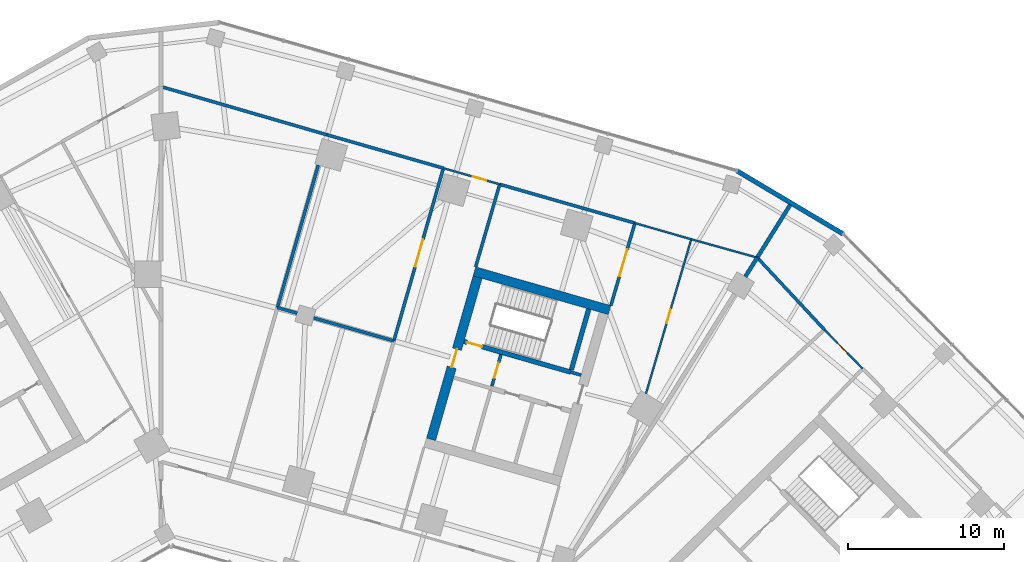
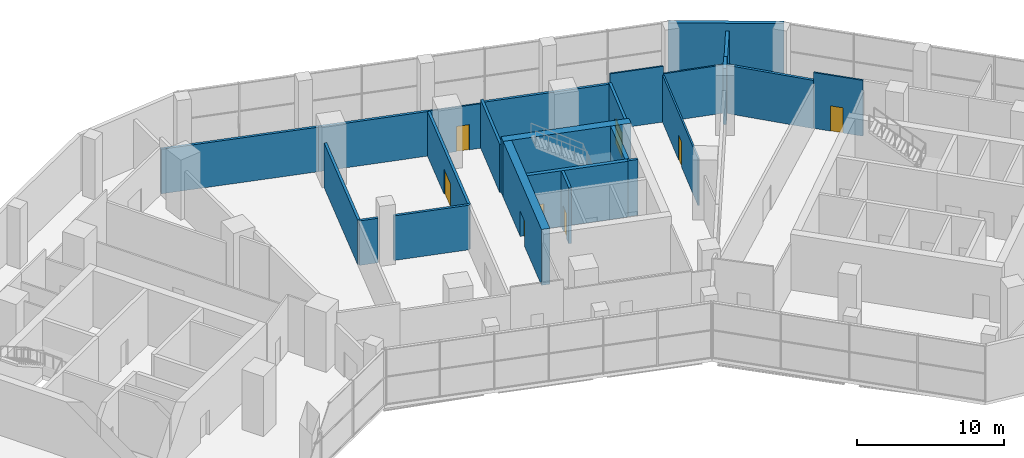
# One storey, part 15 of 18: 24 walls, 8 doors, 8 openings.
"""IFC4 building model written with IfcOpenShell, lengths in metres."""

from ifc_helpers import new_model, si_unit, direction, frame, frame_2d, origin, place, context, subcontext, project, spatial, rectangle, extrude, material, layer, layer_set, type_object, element, fill, save


model = new_model("IFC4")

# Units and contexts
model_context = context("Model", 3, precision=1e-05, world=origin(), true_north=direction((0.0, 1.0)))
body_context = subcontext(model_context, "Body", "Model", "MODEL_VIEW")
ifc_project = project(units=[si_unit("LENGTHUNIT", "METRE"), si_unit("AREAUNIT", "SQUARE_METRE"), si_unit("VOLUMEUNIT", "CUBIC_METRE"), si_unit("PLANEANGLEUNIT", "RADIAN"), si_unit("MASSUNIT", "GRAM", prefix="KILO")], contexts=[model_context])

# Site, building, storey
site_placement = place(None, origin())
site = spatial("IfcSite", under=ifc_project, at=site_placement, CompositionType="ELEMENT")
building_placement = place(site_placement, origin())
building = spatial("IfcBuilding", under=site, at=building_placement, Name="Binnacle Exchange Tower", CompositionType="ELEMENT")
storey_placement = place(building_placement, frame((0.0, 0.0, 6.5)))
storey = spatial("IfcBuildingStorey", under=building, at=storey_placement, Name="L01", CompositionType="ELEMENT", Elevation=6.5)

# Wall
ifc_material_1 = material(Name="Concrete C70/85", Category="concrete")
ifc_layer_1 = layer(ifc_material_1, 0.60009765625)
ifc_layer_set_1 = layer_set([ifc_layer_1], Name="Core wall - outer 600")
wall_type_1 = type_object("IfcWallType", Name="Core wall - outer 600", PredefinedType="SOLIDWALL", material=ifc_layer_set_1)
wall_1_placement = place(storey_placement, frame((20.052734375, 60.1796875, 0.0), z_axis=(0.0, 0.0, 1.0), x_axis=(0.96126248289, -0.275634611374, 0.0)))
element("IfcWall", 1, at=wall_1_placement, inside=storey, type_object=wall_type_1, Name="Core wall CRWD6", PredefinedType="SOLIDWALL", context=body_context, shape_type="SweptSolid", body=[
    extrude(rectangle(XDim=9.0, YDim=0.60009765625, at=frame_2d((4.5, 0.0))), origin(), (0.0, 0.0, 1.0), 4.64990234375),
])

# Wall, opening, door
wall_2_placement = place(storey_placement, frame((17.28173828125, 49.427001953125, 0.0), z_axis=(0.0, 0.0, 1.0), x_axis=(0.275631631629, 0.961263337304, 0.0)))
wall_2 = element("IfcWall", 2, at=wall_2_placement, inside=storey, type_object=wall_type_1, Name="Core wall CRWD7", PredefinedType="SOLIDWALL", context=body_context, shape_type="SweptSolid", body=[
    extrude(rectangle(XDim=10.800048828125, YDim=0.60009765625, at=frame_2d((5.39990234375, 0.0))), origin(), (0.0, 0.0, 1.0), 4.64990234375),
])
opening_1_placement = place(wall_2_placement, frame((4.800048828125, 0.0, 0.0)))
opening_1 = element("IfcOpeningElement", 3, at=opening_1_placement, cuts=wall_2, Name="Opening DD5", PredefinedType="OPENING", context=body_context, shape_type="SweptSolid", body=[
    extrude(rectangle(XDim=1.199951171875, YDim=2.10009765625, at=frame_2d((0.60009765625, 1.050048828125))), frame((0.0, 0.31005859375, 0.0), z_axis=(0.0, -1.0, 0.0), x_axis=(1.0, 0.0, 0.0)), (0.0, 0.0, 1.0), 0.6201171875),
])
ifc_material_2 = material(Name="Steel door leaf", Category="steel")
door_type_1 = type_object("IfcDoorType", Name="Fire door 1200", OperationType="NOTDEFINED", PredefinedType="DOOR", material=ifc_material_2)
door_1_placement = place(opening_1_placement, origin())
door_1 = element("IfcDoor", 4, at=door_1_placement, inside=storey, type_object=door_type_1, Name="Vestibule exit door VEST-W", OperationType="SINGLE_SWING_RIGHT", OverallHeight=2.10009765625, OverallWidth=1.199951171875, PredefinedType="DOOR", context=body_context, shape_type="SweptSolid", body=[
    extrude(rectangle(XDim=1.199951171875, YDim=2.10009765625, at=frame_2d((0.60009765625, 1.050048828125))), frame((0.0, 0.02490234375, 0.0), z_axis=(0.0, -1.0, 0.0), x_axis=(1.0, 0.0, 0.0)), (0.0, 0.0, 1.0), 0.050048828125),
])
fill(opening_1, door_1)

ifc_layer_2 = layer(ifc_material_1, 0.300048828125)
ifc_layer_set_2 = layer_set([ifc_layer_2], Name="Core wall - stair 300")
wall_type_2 = type_object("IfcWallType", Name="Core wall - stair 300", PredefinedType="SOLIDWALL", material=ifc_layer_set_2)
wall_3_placement = place(storey_placement, frame((19.38916015625, 55.688720703125, 0.0), z_axis=(0.0, 0.0, 1.0), x_axis=(0.961261397636, -0.275638396117, 0.0)))
wall_3 = element("IfcWall", 5, at=wall_3_placement, inside=storey, type_object=wall_type_2, Name="Core wall CRWD4", PredefinedType="SOLIDWALL", context=body_context, shape_type="SweptSolid", body=[
    extrude(rectangle(XDim=7.10009765625, YDim=0.300048828125, at=frame_2d((3.550048828125, 0.0))), origin(), (0.0, 0.0, 1.0), 4.64990234375),
])
opening_2_placement = place(wall_3_placement, frame((0.199951171875, 0.0, 0.0)))
opening_2 = element("IfcOpeningElement", 6, at=opening_2_placement, cuts=wall_3, Name="Opening DD1", PredefinedType="OPENING", context=body_context, shape_type="SweptSolid", body=[
    extrude(rectangle(XDim=1.0, YDim=2.10009765625, at=frame_2d((0.5, 1.050048828125))), frame((0.0, 0.159912109375, 0.0), z_axis=(0.0, -1.0, 0.0), x_axis=(1.0, 0.0, 0.0)), (0.0, 0.0, 1.0), 0.320068359375),
])
door_type_2 = type_object("IfcDoorType", Name="Fire door 1000", OperationType="NOTDEFINED", PredefinedType="DOOR", material=ifc_material_2)
door_2_placement = place(opening_2_placement, origin())
door_2 = element("IfcDoor", 7, at=door_2_placement, inside=storey, type_object=door_type_2, Name="Stair door ST-D1", OperationType="SINGLE_SWING_LEFT", OverallHeight=2.10009765625, OverallWidth=1.0, PredefinedType="DOOR", context=body_context, shape_type="SweptSolid", body=[
    extrude(rectangle(XDim=1.0, YDim=2.10009765625, at=frame_2d((0.5, 1.050048828125))), frame((0.0, 0.02490234375, 0.0), z_axis=(0.0, -1.0, 0.0), x_axis=(1.0, 0.0, 0.0)), (0.0, 0.0, 1.0), 0.050048828125),
])
fill(opening_2, door_2)

# Walls
wall_4_placement = place(storey_placement, frame((26.255615234375, 53.875732421875, 0.0), z_axis=(0.0, 0.0, 1.0), x_axis=(0.275612739511, 0.961268754209, 0.0)))
element("IfcWall", 8, at=wall_4_placement, inside=storey, type_object=wall_type_2, Name="Core wall CRWD11", PredefinedType="SOLIDWALL", context=body_context, shape_type="SweptSolid", body=[
    extrude(rectangle(XDim=4.0498046875, YDim=0.300048828125, at=frame_2d((2.02490234375, 0.0))), origin(), (0.0, 0.0, 1.0), 4.64990234375),
])
ifc_material_3 = material(Name="Bronze aluminium louvre", Category="aluminium")
ifc_layer_3 = layer(ifc_material_3, 0.300048828125)
ifc_layer_set_3 = layer_set([ifc_layer_3], Name="External wall - podium louvre 300")
wall_type_3 = type_object("IfcWallType", Name="External wall - podium louvre 300", PredefinedType="STANDARD", material=ifc_layer_set_3)
wall_5_placement = place(storey_placement, frame((36.85791015625, 66.61181640625, 0.0), z_axis=(0.0, 0.0, 1.0), x_axis=(0.85940790562, -0.51129057468, 0.0)))
element("IfcWall", 9, at=wall_5_placement, inside=storey, type_object=wall_type_3, Name="External wall EW-P13 L01", PredefinedType="STANDARD", context=body_context, shape_type="SweptSolid", body=[
    extrude(rectangle(XDim=7.906005859375, YDim=0.300048828125, at=frame_2d((3.953125, 0.0))), origin(), (0.0, 0.0, 1.0), 4.64990234375),
])
ifc_material_4 = material(Name="Masonry block wall", Category="masonry")
ifc_layer_4 = layer(ifc_material_4, 0.199951171875)
ifc_layer_set_4 = layer_set([ifc_layer_4], Name="Fire wall - block 200")
wall_type_4 = type_object("IfcWallType", Name="Fire wall - block 200", PredefinedType="PARTITIONING", material=ifc_layer_set_4)
wall_6_placement = place(storey_placement, frame((0.0, 72.0, 0.0), z_axis=(0.0, 0.0, 1.0), x_axis=(0.960375968852, -0.278707729443, 0.0)))
element("IfcWall", 10, at=wall_6_placement, inside=storey, type_object=wall_type_4, Name="Partition W51", PredefinedType="PARTITIONING", context=body_context, shape_type="SweptSolid", body=[
    extrude(rectangle(XDim=11.058349609375, YDim=0.199951171875, at=frame_2d((5.529296875, 0.0))), origin(), (0.0, 0.0, 1.0), 3.7119140625),
])
wall_7_placement = place(storey_placement, frame((7.449951171875, 57.864013671875, 0.0), z_axis=(0.0, 0.0, 1.0), x_axis=(0.961221622993, -0.275777068465, 0.0)))
element("IfcWall", 11, at=wall_7_placement, inside=storey, type_object=wall_type_4, Name="Partition W54", PredefinedType="PARTITIONING", context=body_context, shape_type="SweptSolid", body=[
    extrude(rectangle(XDim=1.31298828125, YDim=0.199951171875, at=frame_2d((0.656494140625, 0.0))), origin(), (0.0, 0.0, 1.0), 3.7119140625),
])
wall_8_placement = place(storey_placement, frame((7.449951171875, 57.864013671875, 0.0), z_axis=(0.0, 0.0, 1.0), x_axis=(0.275710305557, 0.961240774941, 0.0)))
element("IfcWall", 12, at=wall_8_placement, inside=storey, type_object=wall_type_4, Name="Partition W55", PredefinedType="PARTITIONING", context=body_context, shape_type="SweptSolid", body=[
    extrude(rectangle(XDim=9.484619140625, YDim=0.199951171875, at=frame_2d((4.7421875, 0.0))), origin(), (0.0, 0.0, 1.0), 3.7119140625),
])
wall_9_placement = place(storey_placement, frame((9.77001953125, 57.198974609375, 0.0), z_axis=(0.0, 0.0, 1.0), x_axis=(0.961262835898, -0.275633380273, 0.0)))
element("IfcWall", 13, at=wall_9_placement, inside=storey, type_object=wall_type_4, Name="Partition W56", PredefinedType="PARTITIONING", context=body_context, shape_type="SweptSolid", body=[
    extrude(rectangle(XDim=5.336669921875, YDim=0.199951171875, at=frame_2d((2.66845703125, 0.0))), origin(), (0.0, 0.0, 1.0), 3.7119140625),
])
wall_10_placement = place(storey_placement, frame((10.6201171875, 68.91796875, 0.0), z_axis=(0.0, 0.0, 1.0), x_axis=(0.961260764876, -0.275640602796, 0.0)))
element("IfcWall", 14, at=wall_10_placement, inside=storey, type_object=wall_type_4, Name="Partition W57", PredefinedType="PARTITIONING", context=body_context, shape_type="SweptSolid", body=[
    extrude(rectangle(XDim=7.749267578125, YDim=0.199951171875, at=frame_2d((3.87451171875, 0.0))), origin(), (0.0, 0.0, 1.0), 3.7119140625),
])

# Wall, opening, door
wall_11_placement = place(storey_placement, frame((14.89990234375, 55.72802734375, 0.0), z_axis=(0.0, 0.0, 1.0), x_axis=(0.27559869205, 0.961272781754, 0.0)))
wall_11 = element("IfcWall", 15, at=wall_11_placement, inside=storey, type_object=wall_type_4, Name="Partition W60", PredefinedType="PARTITIONING", context=body_context, shape_type="SweptSolid", body=[
    extrude(rectangle(XDim=11.499267578125, YDim=0.199951171875, at=frame_2d((5.74951171875, 0.0))), origin(), (0.0, 0.0, 1.0), 3.7119140625),
])
opening_3_placement = place(wall_11_placement, frame((4.949951171875, 0.0, 0.0)))
opening_3 = element("IfcOpeningElement", 16, at=opening_3_placement, cuts=wall_11, Name="Opening DL01-20", PredefinedType="OPENING", context=body_context, shape_type="SweptSolid", body=[
    extrude(rectangle(XDim=1.800048828125, YDim=2.10009765625, at=frame_2d((0.89990234375, 1.050048828125))), frame((0.0, 0.10986328125, 0.0), z_axis=(0.0, -1.0, 0.0), x_axis=(1.0, 0.0, 0.0)), (0.0, 0.0, 1.0), 0.219970703125),
])
door_type_3 = type_object("IfcDoorType", Name="Fire door 1800", OperationType="NOTDEFINED", PredefinedType="DOOR", material=ifc_material_2)
door_3_placement = place(opening_3_placement, origin())
door_3 = element("IfcDoor", 17, at=door_3_placement, inside=storey, type_object=door_type_3, Name="Door DL01-20", OperationType="DOUBLE_DOOR_SINGLE_SWING", OverallHeight=2.10009765625, OverallWidth=1.800048828125, PredefinedType="DOOR", context=body_context, shape_type="SweptSolid", body=[
    extrude(rectangle(XDim=1.800048828125, YDim=2.10009765625, at=frame_2d((0.89990234375, 1.050048828125))), frame((0.0, 0.02490234375, 0.0), z_axis=(0.0, -1.0, 0.0), x_axis=(1.0, 0.0, 0.0)), (0.0, 0.0, 1.0), 0.050048828125),
])
fill(opening_3, door_3)

# Walls
wall_12_placement = place(storey_placement, frame((20.135986328125, 60.468017578125, 0.0), z_axis=(0.0, 0.0, 1.0), x_axis=(0.279630121779, 0.96010780384, 0.0)))
element("IfcWall", 18, at=wall_12_placement, inside=storey, type_object=wall_type_4, Name="Partition W64", PredefinedType="PARTITIONING", context=body_context, shape_type="SweptSolid", body=[
    extrude(rectangle(XDim=5.50048828125, YDim=0.199951171875, at=frame_2d((2.750244140625, 0.0))), origin(), (0.0, 0.0, 1.0), 4.01806640625),
])
wall_13_placement = place(storey_placement, frame((21.674072265625, 65.7490234375, 0.0), z_axis=(0.0, 0.0, 1.0), x_axis=(0.961259417468, -0.275645301662, 0.0)))
element("IfcWall", 19, at=wall_13_placement, inside=storey, type_object=wall_type_4, Name="Partition W65", PredefinedType="PARTITIONING", context=body_context, shape_type="SweptSolid", body=[
    extrude(rectangle(XDim=9.00048828125, YDim=0.199951171875, at=frame_2d((4.500244140625, 0.0))), origin(), (0.0, 0.0, 1.0), 3.822021484375),
])

# Wall, opening, door
wall_14_placement = place(storey_placement, frame((28.787109375, 57.987060546875, 0.0), z_axis=(0.0, 0.0, 1.0), x_axis=(0.279752860161, 0.960072047938, 0.0)))
wall_14 = element("IfcWall", 20, at=wall_14_placement, inside=storey, type_object=wall_type_4, Name="Partition W74", PredefinedType="PARTITIONING", context=body_context, shape_type="SweptSolid", body=[
    extrude(rectangle(XDim=5.500732421875, YDim=0.199951171875, at=frame_2d((2.75048828125, 0.0))), origin(), (0.0, 0.0, 1.0), 3.922119140625),
])
opening_4_placement = place(wall_14_placement, frame((1.949951171875, 0.0, 0.0)))
opening_4 = element("IfcOpeningElement", 21, at=opening_4_placement, cuts=wall_14, Name="Opening DL01-23", PredefinedType="OPENING", context=body_context, shape_type="SweptSolid", body=[
    extrude(rectangle(XDim=1.800048828125, YDim=2.10009765625, at=frame_2d((0.89990234375, 1.050048828125))), frame((0.0, 0.10986328125, 0.0), z_axis=(0.0, -1.0, 0.0), x_axis=(1.0, 0.0, 0.0)), (0.0, 0.0, 1.0), 0.219970703125),
])
door_4_placement = place(opening_4_placement, origin())
door_4 = element("IfcDoor", 22, at=door_4_placement, inside=storey, type_object=door_type_3, Name="Door DL01-23", OperationType="DOUBLE_DOOR_SINGLE_SWING", OverallHeight=2.10009765625, OverallWidth=1.800048828125, PredefinedType="DOOR", context=body_context, shape_type="SweptSolid", body=[
    extrude(rectangle(XDim=1.800048828125, YDim=2.10009765625, at=frame_2d((0.89990234375, 1.050048828125))), frame((0.0, 0.02490234375, 0.0), z_axis=(0.0, -1.0, 0.0), x_axis=(1.0, 0.0, 0.0)), (0.0, 0.0, 1.0), 0.050048828125),
])
fill(opening_4, door_4)

# Walls
wall_15_placement = place(storey_placement, frame((38.154052734375, 61.05908203125, 0.0), z_axis=(0.0, 0.0, 1.0), x_axis=(0.681663875787, -0.731665470312, 0.0)))
element("IfcWall", 23, at=wall_15_placement, inside=storey, type_object=wall_type_4, Name="Partition W83", PredefinedType="PARTITIONING", context=body_context, shape_type="SweptSolid", body=[
    extrude(rectangle(XDim=6.303466796875, YDim=0.199951171875, at=frame_2d((3.15185546875, 0.0))), origin(), (0.0, 0.0, 1.0), 4.01806640625),
])
ifc_material_5 = material(Name="Concrete fire wall C30/37", Category="concrete")
ifc_layer_5 = layer(ifc_material_5, 0.25)
ifc_layer_set_5 = layer_set([ifc_layer_5], Name="Fire wall - compartment 250")
wall_type_5 = type_object("IfcWallType", Name="Fire wall - compartment 250", PredefinedType="PARTITIONING", material=ifc_layer_set_5)
wall_16_placement = place(storey_placement, frame((37.389892578125, 59.8369140625, 0.0), z_axis=(0.0, 0.0, 1.0), x_axis=(0.530151180786, 0.84790313451, 0.0)))
element("IfcWall", 24, at=wall_16_placement, inside=storey, type_object=wall_type_5, Name="Fire Wall W80", PredefinedType="PARTITIONING", context=body_context, shape_type="SweptSolid", body=[
    extrude(rectangle(XDim=1.44140625, YDim=0.25, at=frame_2d((0.720703125, 0.0))), origin(), (0.0, 0.0, 1.0), 4.64990234375),
])
wall_17_placement = place(storey_placement, frame((38.154052734375, 61.05908203125, 0.0), z_axis=(0.0, 0.0, 1.0), x_axis=(0.529921368013, 0.848046781565, 0.0)))
element("IfcWall", 25, at=wall_17_placement, inside=storey, type_object=wall_type_5, Name="Fire Wall W82", PredefinedType="PARTITIONING", context=body_context, shape_type="SweptSolid", body=[
    extrude(rectangle(XDim=3.960693359375, YDim=0.25, at=frame_2d((1.98046875, 0.0))), origin(), (0.0, 0.0, 1.0), 4.02392578125),
])

# Wall, opening, door
ifc_layer_6 = layer(ifc_material_4, 0.199951171875)
ifc_layer_set_6 = layer_set([ifc_layer_6], Name="Fire wall - vestibule 200")
wall_type_6 = type_object("IfcWallType", Name="Fire wall - vestibule 200", PredefinedType="PARTITIONING", material=ifc_layer_set_6)
wall_18_placement = place(storey_placement, frame((21.172119140625, 52.836669921875, 0.0), z_axis=(0.0, 0.0, 1.0), x_axis=(0.275657676022, 0.961255868981, 0.0)))
wall_18 = element("IfcWall", 26, at=wall_18_placement, inside=storey, type_object=wall_type_6, Name="Core wall CRWD9", PredefinedType="PARTITIONING", context=body_context, shape_type="SweptSolid", body=[
    extrude(rectangle(XDim=2.099853515625, YDim=0.199951171875, at=frame_2d((1.0498046875, 0.0))), origin(), (0.0, 0.0, 1.0), 4.64990234375),
])
opening_5_placement = place(wall_18_placement, frame((0.550048828125, 0.0, 0.0)))
opening_5 = element("IfcOpeningElement", 27, at=opening_5_placement, cuts=wall_18, Name="Opening DD3", PredefinedType="OPENING", context=body_context, shape_type="SweptSolid", body=[
    extrude(rectangle(XDim=1.0, YDim=2.10009765625, at=frame_2d((0.5, 1.050048828125))), frame((0.0, 0.10986328125, 0.0), z_axis=(0.0, -1.0, 0.0), x_axis=(1.0, 0.0, 0.0)), (0.0, 0.0, 1.0), 0.219970703125),
])
door_5_placement = place(opening_5_placement, origin())
door_5 = element("IfcDoor", 28, at=door_5_placement, inside=storey, type_object=door_type_2, Name="Vestibule door VEST-W", OperationType="SINGLE_SWING_RIGHT", OverallHeight=2.10009765625, OverallWidth=1.0, PredefinedType="DOOR", context=body_context, shape_type="SweptSolid", body=[
    extrude(rectangle(XDim=1.0, YDim=2.10009765625, at=frame_2d((0.5, 1.050048828125))), frame((0.0, 0.02490234375, 0.0), z_axis=(0.0, -1.0, 0.0), x_axis=(1.0, 0.0, 0.0)), (0.0, 0.0, 1.0), 0.050048828125),
])
fill(opening_5, door_5)

ifc_material_6 = material(Name="Gypsum partition")
ifc_layer_7 = layer(ifc_material_6, 0.125)
ifc_layer_set_7 = layer_set([ifc_layer_7], Name="Partition 125")
wall_type_7 = type_object("IfcWallType", Name="Partition 125", PredefinedType="PARTITIONING", material=ifc_layer_set_7)
wall_19_placement = place(storey_placement, frame((18.069091796875, 66.781982421875, 0.0), z_axis=(0.0, 0.0, 1.0), x_axis=(0.961314848061, -0.275451924837, 0.0)))
wall_19 = element("IfcWall", 29, at=wall_19_placement, inside=storey, type_object=wall_type_7, Name="Partition W63", PredefinedType="PARTITIONING", context=body_context, shape_type="SweptSolid", body=[
    extrude(rectangle(XDim=3.75, YDim=0.125, at=frame_2d((1.875, 0.0))), origin(), (0.0, 0.0, 1.0), 3.7119140625),
])
opening_6_placement = place(wall_19_placement, frame((1.949951171875, 0.0, 0.0)))
opening_6 = element("IfcOpeningElement", 30, at=opening_6_placement, cuts=wall_19, Name="Opening DL01-18", PredefinedType="OPENING", context=body_context, shape_type="SweptSolid", body=[
    extrude(rectangle(XDim=0.89990234375, YDim=2.10009765625, at=frame_2d((0.449951171875, 1.050048828125))), frame((0.0, 0.072509765625, 0.0), z_axis=(0.0, -1.0, 0.0), x_axis=(1.0, 0.0, 0.0)), (0.0, 0.0, 1.0), 0.14501953125),
])
ifc_material_7 = material(Name="Timber door leaf", Category="wood")
door_type_4 = type_object("IfcDoorType", Name="Door 900", OperationType="NOTDEFINED", PredefinedType="DOOR", material=ifc_material_7)
door_6_placement = place(opening_6_placement, origin())
door_6 = element("IfcDoor", 31, at=door_6_placement, inside=storey, type_object=door_type_4, Name="Door DL01-18", OperationType="SINGLE_SWING_RIGHT", OverallHeight=2.10009765625, OverallWidth=0.89990234375, PredefinedType="DOOR", context=body_context, shape_type="SweptSolid", body=[
    extrude(rectangle(XDim=0.89990234375, YDim=2.10009765625, at=frame_2d((0.449951171875, 1.050048828125))), frame((0.0, 0.02490234375, 0.0), z_axis=(0.0, -1.0, 0.0), x_axis=(1.0, 0.0, 0.0)), (0.0, 0.0, 1.0), 0.050048828125),
])
fill(opening_6, door_6)

# Wall
wall_20_placement = place(storey_placement, frame((30.325927734375, 63.26806640625, 0.0), z_axis=(0.0, 0.0, 1.0), x_axis=(0.96120880595, -0.275821738383, 0.0)))
element("IfcWall", 32, at=wall_20_placement, inside=storey, type_object=wall_type_7, Name="Partition W77", PredefinedType="PARTITIONING", context=body_context, shape_type="SweptSolid", body=[
    extrude(rectangle(XDim=3.74951171875, YDim=0.125, at=frame_2d((1.874755859375, 0.0))), origin(), (0.0, 0.0, 1.0), 4.64990234375),
])

# Wall, opening, door
wall_21_placement = place(storey_placement, frame((31.033935546875, 52.361083984375, 0.0), z_axis=(0.0, 0.0, 1.0), x_axis=(0.281471237406, 0.959569665273, 0.0)))
wall_21 = element("IfcWall", 33, at=wall_21_placement, inside=storey, type_object=wall_type_7, Name="Partition W78", PredefinedType="PARTITIONING", context=body_context, shape_type="SweptSolid", body=[
    extrude(rectangle(XDim=10.288818359375, YDim=0.125, at=frame_2d((5.14453125, 0.0))), origin(), (0.0, 0.0, 1.0), 3.922119140625),
])
opening_7_placement = place(wall_21_placement, frame((4.699951171875, 0.0, 0.0)))
opening_7 = element("IfcOpeningElement", 34, at=opening_7_placement, cuts=wall_21, Name="Opening DL01-22", PredefinedType="OPENING", context=body_context, shape_type="SweptSolid", body=[
    extrude(rectangle(XDim=0.89990234375, YDim=2.10009765625, at=frame_2d((0.449951171875, 1.050048828125))), frame((0.0, 0.072509765625, 0.0), z_axis=(0.0, -1.0, 0.0), x_axis=(1.0, 0.0, 0.0)), (0.0, 0.0, 1.0), 0.14501953125),
])
door_7_placement = place(opening_7_placement, frame((0.89990234375, 0.0, 0.0), z_axis=(0.0, 0.0, 1.0), x_axis=(-1.0, 0.0, 0.0)))
door_7 = element("IfcDoor", 35, at=door_7_placement, inside=storey, type_object=door_type_4, Name="Door DL01-22", OperationType="SINGLE_SWING_LEFT", OverallHeight=2.10009765625, OverallWidth=0.89990234375, PredefinedType="DOOR", context=body_context, shape_type="SweptSolid", body=[
    extrude(rectangle(XDim=0.89990234375, YDim=2.10009765625, at=frame_2d((0.449951171875, 1.050048828125))), frame((0.0, 0.02490234375, 0.0), z_axis=(0.0, -1.0, 0.0), x_axis=(1.0, 0.0, 0.0)), (0.0, 0.0, 1.0), 0.050048828125),
])
fill(opening_7, door_7)

# Wall
wall_22_placement = place(storey_placement, frame((33.929931640625, 62.23388671875, 0.0), z_axis=(0.0, 0.0, 1.0), x_axis=(0.963433299433, -0.267948274007, 0.0)))
element("IfcWall", 36, at=wall_22_placement, inside=storey, type_object=wall_type_7, Name="Partition W79", PredefinedType="PARTITIONING", context=body_context, shape_type="SweptSolid", body=[
    extrude(rectangle(XDim=4.384521484375, YDim=0.125, at=frame_2d((2.1923828125, 0.0))), origin(), (0.0, 0.0, 1.0), 4.01806640625),
])

# Wall, opening, door
wall_23_placement = place(storey_placement, frame((42.450927734375, 56.447021484375, 0.0), z_axis=(0.0, 0.0, 1.0), x_axis=(0.700941316052, -0.713218950569, 0.0)))
wall_23 = element("IfcWall", 37, at=wall_23_placement, inside=storey, type_object=wall_type_7, Name="Partition W85", PredefinedType="PARTITIONING", context=body_context, shape_type="SweptSolid", body=[
    extrude(rectangle(XDim=3.499755859375, YDim=0.125, at=frame_2d((1.75, 0.0))), origin(), (0.0, 0.0, 1.0), 4.64990234375),
])
opening_8_placement = place(wall_23_placement, frame((1.199951171875, 0.0, 0.0)))
opening_8 = element("IfcOpeningElement", 38, at=opening_8_placement, cuts=wall_23, Name="Opening DL01-27", PredefinedType="OPENING", context=body_context, shape_type="SweptSolid", body=[
    extrude(rectangle(XDim=0.89990234375, YDim=2.10009765625, at=frame_2d((0.449951171875, 1.050048828125))), frame((0.0, 0.072509765625, 0.0), z_axis=(0.0, -1.0, 0.0), x_axis=(1.0, 0.0, 0.0)), (0.0, 0.0, 1.0), 0.14501953125),
])
door_8_placement = place(opening_8_placement, origin())
door_8 = element("IfcDoor", 39, at=door_8_placement, inside=storey, type_object=door_type_4, Name="Door DL01-27", OperationType="SINGLE_SWING_LEFT", OverallHeight=2.10009765625, OverallWidth=0.89990234375, PredefinedType="DOOR", context=body_context, shape_type="SweptSolid", body=[
    extrude(rectangle(XDim=0.89990234375, YDim=2.10009765625, at=frame_2d((0.449951171875, 1.050048828125))), frame((0.0, 0.02490234375, 0.0), z_axis=(0.0, -1.0, 0.0), x_axis=(1.0, 0.0, 0.0)), (0.0, 0.0, 1.0), 0.050048828125),
])
fill(opening_8, door_8)

# Wall
ifc_layer_8 = layer(ifc_material_4, 0.199951171875)
ifc_layer_set_8 = layer_set([ifc_layer_8], Name="Riser wall 200")
wall_type_8 = type_object("IfcWallType", Name="Riser wall 200", PredefinedType="SOLIDWALL", material=ifc_layer_set_8)
wall_24_placement = place(storey_placement, frame((26.214111328125, 53.731689453125, 0.0), z_axis=(0.0, 0.0, 1.0), x_axis=(0.96122076476, -0.27578005982, 0.0)))
element("IfcWall", 40, at=wall_24_placement, inside=storey, type_object=wall_type_8, Name="Core wall CRWD5", PredefinedType="SOLIDWALL", context=body_context, shape_type="SweptSolid", body=[
    extrude(rectangle(XDim=0.7001953125, YDim=0.199951171875, at=frame_2d((0.35009765625, 0.0))), origin(), (0.0, 0.0, 1.0), 4.64990234375),
])

save(model, "model.ifc")
